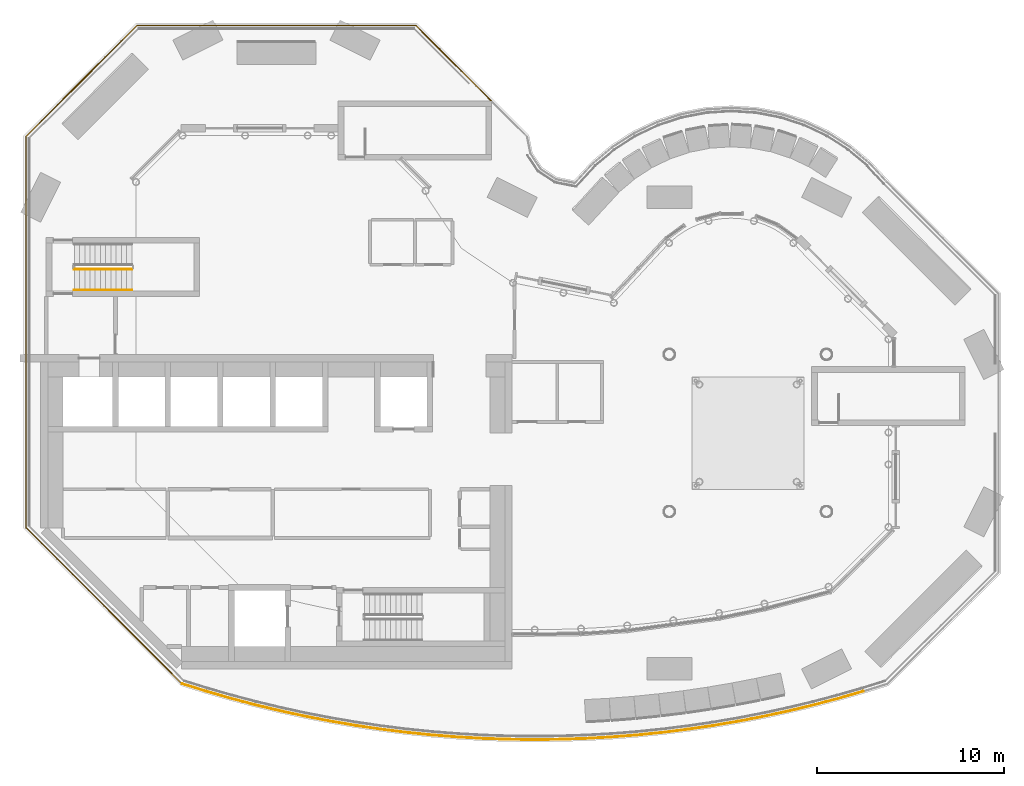
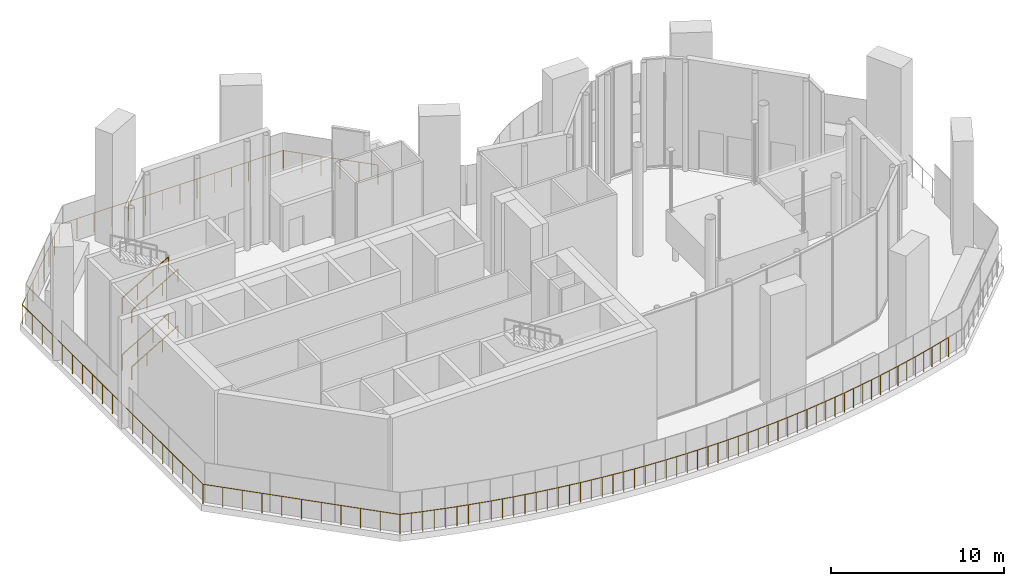
# One storey, part 12 of 14: 6 railings.
"""IFC4 building model written with IfcOpenShell, lengths in metres."""

from ifc_helpers import new_model, si_unit, direction, frame, origin, origin_2d, place, context, subcontext, project, spatial, circle, extrude, material, type_object, element, save


model = new_model("IFC4")

# Units and contexts
model_context = context("Model", 3, precision=1e-05, world=origin(), true_north=direction((0.0, 1.0)))
body_context = subcontext(model_context, "Body", "Model", "MODEL_VIEW")
ifc_project = project(units=[si_unit("LENGTHUNIT", "METRE"), si_unit("AREAUNIT", "SQUARE_METRE"), si_unit("VOLUMEUNIT", "CUBIC_METRE"), si_unit("PLANEANGLEUNIT", "RADIAN"), si_unit("MASSUNIT", "GRAM", prefix="KILO")], contexts=[model_context])

# Site, building, storey
site_placement = place(None, origin())
site = spatial("IfcSite", under=ifc_project, at=site_placement, CompositionType="ELEMENT")
building_placement = place(site_placement, origin())
building = spatial("IfcBuilding", under=site, at=building_placement, Name="Brevane Broadcast Tower", CompositionType="ELEMENT")
storey_placement = place(building_placement, frame((0.0, 0.0, 256.199951171875)))
storey = spatial("IfcBuildingStorey", under=building, at=storey_placement, Name="L65", CompositionType="ELEMENT", Elevation=256.199951171875)

# Railings
ifc_material_1 = material(Name="Stainless steel 1.4404", Category="steel")
railing_type_1 = type_object("IfcRailingType", Name="Deck guard 1400", PredefinedType="GUARDRAIL", material=ifc_material_1)
railing_1_placement = place(storey_placement, frame((7.56396484375, -0.794189453125, 0.0)))
element("IfcRailing", 1, at=railing_1_placement, inside=storey, type_object=railing_type_1, Name="Deck guard", PredefinedType="GUARDRAIL", context=body_context, shape_type="SweptSolid", body=[
    extrude(circle(Radius=0.02392578125, at=origin_2d()), frame((0.0, 0.0, 1.3759765625), z_axis=(-0.707106781187, 0.707106781187, 0.0), x_axis=(-0.707106781187, -0.707106781187, 0.0)), (0.0, 0.0, 1.0), 11.80029296875),
    extrude(circle(Radius=0.02392578125, at=origin_2d()), frame((-8.343994140625, 8.343994140625, 1.3759765625), z_axis=(0.0, 1.0, 0.0), x_axis=(-1.0, 0.0, 0.0)), (0.0, 0.0, 1.0), 20.900390625),
    extrude(circle(Radius=0.02392578125, at=origin_2d()), frame((-8.343994140625, 29.244384765625, 1.3759765625), z_axis=(0.707106781187, 0.707106781187, 0.0), x_axis=(-0.707106781187, 0.707106781187, 0.0)), (0.0, 0.0, 1.0), 8.3857421875),
    extrude(circle(Radius=0.02392578125, at=origin_2d()), frame((-2.414306640625, 35.174072265625, 1.3759765625), z_axis=(1.0, 0.0, 0.0), x_axis=(0.0, 1.0, 0.0)), (0.0, 0.0, 1.0), 14.900634765625),
    extrude(circle(Radius=0.02392578125, at=origin_2d()), frame((12.486328125, 35.174072265625, 1.3759765625), z_axis=(0.707128199903, -0.707085361822, 0.0), x_axis=(0.707085361822, 0.707128199903, 0.0)), (0.0, 0.0, 1.0), 5.69921875),
    extrude(circle(Radius=0.02099609375, at=origin_2d()), origin(), (0.0, 0.0, 1.0), 1.351806640625),
    extrude(circle(Radius=0.02099609375, at=origin_2d()), frame((-0.83447265625, 0.83447265625, 0.0)), (0.0, 0.0, 1.0), 1.351806640625),
    extrude(circle(Radius=0.02099609375, at=origin_2d()), frame((-1.668701171875, 1.668701171875, 0.0)), (0.0, 0.0, 1.0), 1.351806640625),
    extrude(circle(Radius=0.02099609375, at=origin_2d()), frame((-2.503173828125, 2.503173828125, 0.0)), (0.0, 0.0, 1.0), 1.351806640625),
    extrude(circle(Radius=0.02099609375, at=origin_2d()), frame((-3.337646484375, 3.337646484375, 0.0)), (0.0, 0.0, 1.0), 1.351806640625),
    extrude(circle(Radius=0.02099609375, at=origin_2d()), frame((-4.171875, 4.171875, 0.0)), (0.0, 0.0, 1.0), 1.351806640625),
    extrude(circle(Radius=0.02099609375, at=origin_2d()), frame((-5.00634765625, 5.00634765625, 0.0)), (0.0, 0.0, 1.0), 1.351806640625),
    extrude(circle(Radius=0.02099609375, at=origin_2d()), frame((-5.8408203125, 5.8408203125, 0.0)), (0.0, 0.0, 1.0), 1.351806640625),
    extrude(circle(Radius=0.02099609375, at=origin_2d()), frame((-6.67529296875, 6.67529296875, 0.0)), (0.0, 0.0, 1.0), 1.351806640625),
    extrude(circle(Radius=0.02099609375, at=origin_2d()), frame((-7.509521484375, 7.509521484375, 0.0)), (0.0, 0.0, 1.0), 1.351806640625),
    extrude(circle(Radius=0.02099609375, at=origin_2d()), frame((-8.343994140625, 8.343994140625, 0.0)), (0.0, 0.0, 1.0), 1.351806640625),
    extrude(circle(Radius=0.02099609375, at=origin_2d()), frame((-8.343994140625, 9.505126953125, 0.0)), (0.0, 0.0, 1.0), 1.351806640625),
    extrude(circle(Radius=0.02099609375, at=origin_2d()), frame((-8.343994140625, 10.666259765625, 0.0)), (0.0, 0.0, 1.0), 1.351806640625),
    extrude(circle(Radius=0.02099609375, at=origin_2d()), frame((-8.343994140625, 11.827392578125, 0.0)), (0.0, 0.0, 1.0), 1.351806640625),
    extrude(circle(Radius=0.02099609375, at=origin_2d()), frame((-8.343994140625, 12.988525390625, 0.0)), (0.0, 0.0, 1.0), 1.351806640625),
    extrude(circle(Radius=0.02099609375, at=origin_2d()), frame((-8.343994140625, 14.149658203125, 0.0)), (0.0, 0.0, 1.0), 1.351806640625),
    extrude(circle(Radius=0.02099609375, at=origin_2d()), frame((-8.343994140625, 15.310791015625, 0.0)), (0.0, 0.0, 1.0), 1.351806640625),
    extrude(circle(Radius=0.02099609375, at=origin_2d()), frame((-8.343994140625, 16.471923828125, 0.0)), (0.0, 0.0, 1.0), 1.351806640625),
    extrude(circle(Radius=0.02099609375, at=origin_2d()), frame((-8.343994140625, 17.633056640625, 0.0)), (0.0, 0.0, 1.0), 1.351806640625),
    extrude(circle(Radius=0.02099609375, at=origin_2d()), frame((-8.343994140625, 18.794189453125, 0.0)), (0.0, 0.0, 1.0), 1.351806640625),
    extrude(circle(Radius=0.02099609375, at=origin_2d()), frame((-8.343994140625, 19.955322265625, 0.0)), (0.0, 0.0, 1.0), 1.351806640625),
    extrude(circle(Radius=0.02099609375, at=origin_2d()), frame((-8.343994140625, 21.116455078125, 0.0)), (0.0, 0.0, 1.0), 1.351806640625),
    extrude(circle(Radius=0.02099609375, at=origin_2d()), frame((-8.343994140625, 22.277587890625, 0.0)), (0.0, 0.0, 1.0), 1.351806640625),
    extrude(circle(Radius=0.02099609375, at=origin_2d()), frame((-8.343994140625, 23.438720703125, 0.0)), (0.0, 0.0, 1.0), 1.351806640625),
    extrude(circle(Radius=0.02099609375, at=origin_2d()), frame((-8.343994140625, 24.599853515625, 0.0)), (0.0, 0.0, 1.0), 1.351806640625),
    extrude(circle(Radius=0.02099609375, at=origin_2d()), frame((-8.343994140625, 25.760986328125, 0.0)), (0.0, 0.0, 1.0), 1.351806640625),
    extrude(circle(Radius=0.02099609375, at=origin_2d()), frame((-8.343994140625, 26.922119140625, 0.0)), (0.0, 0.0, 1.0), 1.351806640625),
    extrude(circle(Radius=0.02099609375, at=origin_2d()), frame((-8.343994140625, 28.083251953125, 0.0)), (0.0, 0.0, 1.0), 1.351806640625),
    extrude(circle(Radius=0.02099609375, at=origin_2d()), frame((-8.343994140625, 29.244384765625, 0.0)), (0.0, 0.0, 1.0), 1.351806640625),
    extrude(circle(Radius=0.02099609375, at=origin_2d()), frame((-7.496826171875, 30.091552734375, 0.0)), (0.0, 0.0, 1.0), 1.351806640625),
    extrude(circle(Radius=0.02099609375, at=origin_2d()), frame((-6.64990234375, 30.9384765625, 0.0)), (0.0, 0.0, 1.0), 1.351806640625),
    extrude(circle(Radius=0.02099609375, at=origin_2d()), frame((-5.802734375, 31.78564453125, 0.0)), (0.0, 0.0, 1.0), 1.351806640625),
    extrude(circle(Radius=0.02099609375, at=origin_2d()), frame((-4.95556640625, 32.6328125, 0.0)), (0.0, 0.0, 1.0), 1.351806640625),
    extrude(circle(Radius=0.02099609375, at=origin_2d()), frame((-4.1083984375, 33.47998046875, 0.0)), (0.0, 0.0, 1.0), 1.351806640625),
    extrude(circle(Radius=0.02099609375, at=origin_2d()), frame((-3.261474609375, 34.326904296875, 0.0)), (0.0, 0.0, 1.0), 1.351806640625),
    extrude(circle(Radius=0.02099609375, at=origin_2d()), frame((-2.414306640625, 35.174072265625, 0.0)), (0.0, 0.0, 1.0), 1.351806640625),
    extrude(circle(Radius=0.02099609375, at=origin_2d()), frame((-1.26806640625, 35.174072265625, 0.0)), (0.0, 0.0, 1.0), 1.351806640625),
    extrude(circle(Radius=0.02099609375, at=origin_2d()), frame((-0.121826171875, 35.174072265625, 0.0)), (0.0, 0.0, 1.0), 1.351806640625),
    extrude(circle(Radius=0.02099609375, at=origin_2d()), frame((1.0244140625, 35.174072265625, 0.0)), (0.0, 0.0, 1.0), 1.351806640625),
    extrude(circle(Radius=0.02099609375, at=origin_2d()), frame((2.17041015625, 35.174072265625, 0.0)), (0.0, 0.0, 1.0), 1.351806640625),
    extrude(circle(Radius=0.02099609375, at=origin_2d()), frame((3.316650390625, 35.174072265625, 0.0)), (0.0, 0.0, 1.0), 1.351806640625),
    extrude(circle(Radius=0.02099609375, at=origin_2d()), frame((4.462890625, 35.174072265625, 0.0)), (0.0, 0.0, 1.0), 1.351806640625),
    extrude(circle(Radius=0.02099609375, at=origin_2d()), frame((5.609130859375, 35.174072265625, 0.0)), (0.0, 0.0, 1.0), 1.351806640625),
    extrude(circle(Radius=0.02099609375, at=origin_2d()), frame((6.75537109375, 35.174072265625, 0.0)), (0.0, 0.0, 1.0), 1.351806640625),
    extrude(circle(Radius=0.02099609375, at=origin_2d()), frame((7.901611328125, 35.174072265625, 0.0)), (0.0, 0.0, 1.0), 1.351806640625),
    extrude(circle(Radius=0.02099609375, at=origin_2d()), frame((9.047607421875, 35.174072265625, 0.0)), (0.0, 0.0, 1.0), 1.351806640625),
    extrude(circle(Radius=0.02099609375, at=origin_2d()), frame((10.19384765625, 35.174072265625, 0.0)), (0.0, 0.0, 1.0), 1.351806640625),
    extrude(circle(Radius=0.02099609375, at=origin_2d()), frame((11.340087890625, 35.174072265625, 0.0)), (0.0, 0.0, 1.0), 1.351806640625),
    extrude(circle(Radius=0.02099609375, at=origin_2d()), frame((12.486328125, 35.174072265625, 0.0)), (0.0, 0.0, 1.0), 1.351806640625),
    extrude(circle(Radius=0.02099609375, at=origin_2d()), frame((13.292236328125, 34.3681640625, 0.0)), (0.0, 0.0, 1.0), 1.351806640625),
    extrude(circle(Radius=0.02099609375, at=origin_2d()), frame((14.098388671875, 33.562255859375, 0.0)), (0.0, 0.0, 1.0), 1.351806640625),
    extrude(circle(Radius=0.02099609375, at=origin_2d()), frame((14.904296875, 32.756103515625, 0.0)), (0.0, 0.0, 1.0), 1.351806640625),
    extrude(circle(Radius=0.02099609375, at=origin_2d()), frame((15.71044921875, 31.9501953125, 0.0)), (0.0, 0.0, 1.0), 1.351806640625),
    extrude(circle(Radius=0.02099609375, at=origin_2d()), frame((16.516357421875, 31.144287109375, 0.0)), (0.0, 0.0, 1.0), 1.351806640625),
])
railing_2_placement = place(storey_placement, frame((43.95556640625, -1.1953125, 0.0)))
element("IfcRailing", 2, at=railing_2_placement, inside=storey, type_object=railing_type_1, Name="Deck guard", PredefinedType="GUARDRAIL", context=body_context, shape_type="SweptSolid", body=[
    extrude(circle(Radius=0.02392578125, at=origin_2d()), frame((0.0, 0.0, 1.3759765625), z_axis=(-0.960719463283, -0.277521373716, 0.0), x_axis=(0.277521373716, -0.960719463283, 0.0)), (0.0, 0.0, 1.0), 1.36962890625),
    extrude(circle(Radius=0.02392578125, at=origin_2d()), frame((-1.31591796875, -0.380126953125, 1.3759765625), z_axis=(-0.966750591727, -0.255721124263, 0.0), x_axis=(0.255721124263, -0.966750591727, 0.0)), (0.0, 0.0, 1.0), 1.3701171875),
    extrude(circle(Radius=0.02392578125, at=origin_2d()), frame((-2.640380859375, -0.73046875, 1.3759765625), z_axis=(-0.972273936569, -0.233844803809, 0.0), x_axis=(0.233844803809, -0.972273936569, 0.0)), (0.0, 0.0, 1.0), 1.369873046875),
    extrude(circle(Radius=0.02392578125, at=origin_2d()), frame((-3.97216796875, -1.05078125, 1.3759765625), z_axis=(-0.977248694028, -0.212096652543, 0.0), x_axis=(0.212096652543, -0.977248694028, 0.0)), (0.0, 0.0, 1.0), 1.369873046875),
    extrude(circle(Radius=0.02392578125, at=origin_2d()), frame((-5.310791015625, -1.34130859375, 1.3759765625), z_axis=(-0.981788429667, -0.189977575971, 0.0), x_axis=(0.189977575971, -0.981788429667, 0.0)), (0.0, 0.0, 1.0), 1.369873046875),
    extrude(circle(Radius=0.02392578125, at=origin_2d()), frame((-6.65576171875, -1.6015625, 1.3759765625), z_axis=(-0.985804855231, -0.167895167895, 0.0), x_axis=(0.167895167895, -0.985804855231, 0.0)), (0.0, 0.0, 1.0), 1.369873046875),
    extrude(circle(Radius=0.02392578125, at=origin_2d()), frame((-8.006103515625, -1.83154296875, 1.3759765625), z_axis=(-0.989341773389, -0.145612003037, 0.0), x_axis=(0.145612003037, -0.989341773389, 0.0)), (0.0, 0.0, 1.0), 1.369873046875),
    extrude(circle(Radius=0.02392578125, at=origin_2d()), frame((-9.361328125, -2.031005859375, 1.3759765625), z_axis=(-0.992365370734, -0.123332765185, 0.0), x_axis=(0.123332765185, -0.992365370734, 0.0)), (0.0, 0.0, 1.0), 1.369873046875),
    extrude(circle(Radius=0.02392578125, at=origin_2d()), frame((-10.720703125, -2.199951171875, 1.3759765625), z_axis=(-0.994880688818, -0.101056494188, 0.0), x_axis=(0.101056494188, -0.994880688818, 0.0)), (0.0, 0.0, 1.0), 1.369873046875),
    extrude(circle(Radius=0.02392578125, at=origin_2d()), frame((-12.08349609375, -2.33837890625, 1.3759765625), z_axis=(-0.996905872152, -0.078604593173, 0.0), x_axis=(0.078604593173, -0.996905872152, 0.0)), (0.0, 0.0, 1.0), 1.36962890625),
    extrude(circle(Radius=0.02392578125, at=origin_2d()), frame((-13.448974609375, -2.446044921875, 1.3759765625), z_axis=(-0.998412831431, -0.056318895882, 0.0), x_axis=(0.056318895882, -0.998412831431, 0.0)), (0.0, 0.0, 1.0), 1.369873046875),
    extrude(circle(Radius=0.02392578125, at=origin_2d()), frame((-14.816650390625, -2.523193359375, 1.3759765625), z_axis=(-0.999432575823, -0.033682731247, 0.0), x_axis=(0.033682731247, -0.999432575823, 0.0)), (0.0, 0.0, 1.0), 1.369873046875),
    extrude(circle(Radius=0.02392578125, at=origin_2d()), frame((-16.185791015625, -2.5693359375, 1.3759765625), z_axis=(-0.999936972584, -0.011227237439, 0.0), x_axis=(0.011227237439, -0.999936972584, 0.0)), (0.0, 0.0, 1.0), 1.369873046875),
    extrude(circle(Radius=0.02392578125, at=origin_2d()), frame((-17.5556640625, -2.584716796875, 1.3759765625), z_axis=(-0.999936950114, 0.011229238477, 0.0), x_axis=(-0.011229238477, -0.999936950114, 0.0)), (0.0, 0.0, 1.0), 1.36962890625),
    extrude(circle(Radius=0.02392578125, at=origin_2d()), frame((-18.92529296875, -2.5693359375, 1.3759765625), z_axis=(-0.999432575823, 0.033682731247, 0.0), x_axis=(-0.033682731247, -0.999432575823, 0.0)), (0.0, 0.0, 1.0), 1.369873046875),
    extrude(circle(Radius=0.02392578125, at=origin_2d()), frame((-20.29443359375, -2.523193359375, 1.3759765625), z_axis=(-0.998412831431, 0.056318895882, 0.0), x_axis=(-0.056318895882, -0.998412831431, 0.0)), (0.0, 0.0, 1.0), 1.369873046875),
    extrude(circle(Radius=0.02392578125, at=origin_2d()), frame((-21.662109375, -2.446044921875, 1.3759765625), z_axis=(-0.996905872152, 0.078604593173, 0.0), x_axis=(-0.078604593173, -0.996905872152, 0.0)), (0.0, 0.0, 1.0), 1.36962890625),
    extrude(circle(Radius=0.02392578125, at=origin_2d()), frame((-23.027587890625, -2.33837890625, 1.3759765625), z_axis=(-0.994880688818, 0.101056494188, 0.0), x_axis=(-0.101056494188, -0.994880688818, 0.0)), (0.0, 0.0, 1.0), 1.369873046875),
    extrude(circle(Radius=0.02392578125, at=origin_2d()), frame((-24.390380859375, -2.199951171875, 1.3759765625), z_axis=(-0.992365370734, 0.123332765185, 0.0), x_axis=(-0.123332765185, -0.992365370734, 0.0)), (0.0, 0.0, 1.0), 1.369873046875),
    extrude(circle(Radius=0.02392578125, at=origin_2d()), frame((-25.749755859375, -2.031005859375, 1.3759765625), z_axis=(-0.989341773389, 0.145612003037, 0.0), x_axis=(-0.145612003037, -0.989341773389, 0.0)), (0.0, 0.0, 1.0), 1.369873046875),
    extrude(circle(Radius=0.02392578125, at=origin_2d()), frame((-27.10498046875, -1.83154296875, 1.3759765625), z_axis=(-0.98580987807, 0.167865673381, 0.0), x_axis=(-0.167865673381, -0.98580987807, 0.0)), (0.0, 0.0, 1.0), 1.3701171875),
    extrude(circle(Radius=0.02392578125, at=origin_2d()), frame((-28.45556640625, -1.6015625, 1.3759765625), z_axis=(-0.981781995922, 0.190010822014, 0.0), x_axis=(-0.190010822014, -0.981781995922, 0.0)), (0.0, 0.0, 1.0), 1.36962890625),
    extrude(circle(Radius=0.02392578125, at=origin_2d()), frame((-29.80029296875, -1.34130859375, 1.3759765625), z_axis=(-0.97725670972, 0.212059716369, 0.0), x_axis=(-0.212059716369, -0.97725670972, 0.0)), (0.0, 0.0, 1.0), 1.3701171875),
    extrude(circle(Radius=0.02392578125, at=origin_2d()), frame((-31.13916015625, -1.05078125, 1.3759765625), z_axis=(-0.972273936569, 0.233844803809, 0.0), x_axis=(-0.233844803809, -0.972273936569, 0.0)), (0.0, 0.0, 1.0), 1.369873046875),
    extrude(circle(Radius=0.02392578125, at=origin_2d()), frame((-32.470947265625, -0.73046875, 1.3759765625), z_axis=(-0.966738935443, 0.255765186645, 0.0), x_axis=(-0.255765186645, -0.966738935443, 0.0)), (0.0, 0.0, 1.0), 1.369873046875),
    extrude(circle(Radius=0.02392578125, at=origin_2d()), frame((-33.795166015625, -0.380126953125, 1.3759765625), z_axis=(-0.960719463283, 0.277521373716, 0.0), x_axis=(-0.277521373716, -0.960719463283, 0.0)), (0.0, 0.0, 1.0), 1.36962890625),
    extrude(circle(Radius=0.02392578125, at=origin_2d()), frame((-35.111083984375, 0.0, 1.3759765625), z_axis=(-0.9542758007, 0.298927576845, 0.0), x_axis=(-0.298927576845, -0.9542758007, 0.0)), (0.0, 0.0, 1.0), 1.341796875),
    extrude(circle(Radius=0.02099609375, at=origin_2d()), origin(), (0.0, 0.0, 1.0), 1.351806640625),
    extrude(circle(Radius=0.02099609375, at=origin_2d()), frame((-0.657958984375, -0.18994140625, 0.0)), (0.0, 0.0, 1.0), 1.351806640625),
    extrude(circle(Radius=0.02099609375, at=origin_2d()), frame((-1.31591796875, -0.380126953125, 0.0)), (0.0, 0.0, 1.0), 1.351806640625),
    extrude(circle(Radius=0.02099609375, at=origin_2d()), frame((-1.97802734375, -0.55517578125, 0.0)), (0.0, 0.0, 1.0), 1.351806640625),
    extrude(circle(Radius=0.02099609375, at=origin_2d()), frame((-2.640380859375, -0.73046875, 0.0)), (0.0, 0.0, 1.0), 1.351806640625),
    extrude(circle(Radius=0.02099609375, at=origin_2d()), frame((-3.30615234375, -0.890625, 0.0)), (0.0, 0.0, 1.0), 1.351806640625),
    extrude(circle(Radius=0.02099609375, at=origin_2d()), frame((-3.97216796875, -1.05078125, 0.0)), (0.0, 0.0, 1.0), 1.351806640625),
    extrude(circle(Radius=0.02099609375, at=origin_2d()), frame((-4.6416015625, -1.196044921875, 0.0)), (0.0, 0.0, 1.0), 1.351806640625),
    extrude(circle(Radius=0.02099609375, at=origin_2d()), frame((-5.310791015625, -1.34130859375, 0.0)), (0.0, 0.0, 1.0), 1.351806640625),
    extrude(circle(Radius=0.02099609375, at=origin_2d()), frame((-5.9833984375, -1.471435546875, 0.0)), (0.0, 0.0, 1.0), 1.351806640625),
    extrude(circle(Radius=0.02099609375, at=origin_2d()), frame((-6.65576171875, -1.6015625, 0.0)), (0.0, 0.0, 1.0), 1.351806640625),
    extrude(circle(Radius=0.02099609375, at=origin_2d()), frame((-7.3310546875, -1.716552734375, 0.0)), (0.0, 0.0, 1.0), 1.351806640625),
    extrude(circle(Radius=0.02099609375, at=origin_2d()), frame((-8.006103515625, -1.83154296875, 0.0)), (0.0, 0.0, 1.0), 1.351806640625),
    extrude(circle(Radius=0.02099609375, at=origin_2d()), frame((-8.68359375, -1.93115234375, 0.0)), (0.0, 0.0, 1.0), 1.351806640625),
    extrude(circle(Radius=0.02099609375, at=origin_2d()), frame((-9.361328125, -2.031005859375, 0.0)), (0.0, 0.0, 1.0), 1.351806640625),
    extrude(circle(Radius=0.02099609375, at=origin_2d()), frame((-10.041015625, -2.115478515625, 0.0)), (0.0, 0.0, 1.0), 1.351806640625),
    extrude(circle(Radius=0.02099609375, at=origin_2d()), frame((-10.720703125, -2.199951171875, 0.0)), (0.0, 0.0, 1.0), 1.351806640625),
    extrude(circle(Radius=0.02099609375, at=origin_2d()), frame((-11.402099609375, -2.26904296875, 0.0)), (0.0, 0.0, 1.0), 1.351806640625),
    extrude(circle(Radius=0.02099609375, at=origin_2d()), frame((-12.08349609375, -2.33837890625, 0.0)), (0.0, 0.0, 1.0), 1.351806640625),
    extrude(circle(Radius=0.02099609375, at=origin_2d()), frame((-12.76611328125, -2.39208984375, 0.0)), (0.0, 0.0, 1.0), 1.351806640625),
    extrude(circle(Radius=0.02099609375, at=origin_2d()), frame((-13.448974609375, -2.446044921875, 0.0)), (0.0, 0.0, 1.0), 1.351806640625),
    extrude(circle(Radius=0.02099609375, at=origin_2d()), frame((-14.1328125, -2.484619140625, 0.0)), (0.0, 0.0, 1.0), 1.351806640625),
    extrude(circle(Radius=0.02099609375, at=origin_2d()), frame((-14.816650390625, -2.523193359375, 0.0)), (0.0, 0.0, 1.0), 1.351806640625),
    extrude(circle(Radius=0.02099609375, at=origin_2d()), frame((-15.501220703125, -2.54638671875, 0.0)), (0.0, 0.0, 1.0), 1.351806640625),
    extrude(circle(Radius=0.02099609375, at=origin_2d()), frame((-16.185791015625, -2.5693359375, 0.0)), (0.0, 0.0, 1.0), 1.351806640625),
    extrude(circle(Radius=0.02099609375, at=origin_2d()), frame((-16.87060546875, -2.5771484375, 0.0)), (0.0, 0.0, 1.0), 1.351806640625),
    extrude(circle(Radius=0.02099609375, at=origin_2d()), frame((-17.5556640625, -2.584716796875, 0.0)), (0.0, 0.0, 1.0), 1.351806640625),
    extrude(circle(Radius=0.02099609375, at=origin_2d()), frame((-18.240478515625, -2.5771484375, 0.0)), (0.0, 0.0, 1.0), 1.351806640625),
    extrude(circle(Radius=0.02099609375, at=origin_2d()), frame((-18.92529296875, -2.5693359375, 0.0)), (0.0, 0.0, 1.0), 1.351806640625),
    extrude(circle(Radius=0.02099609375, at=origin_2d()), frame((-19.60986328125, -2.54638671875, 0.0)), (0.0, 0.0, 1.0), 1.351806640625),
    extrude(circle(Radius=0.02099609375, at=origin_2d()), frame((-20.29443359375, -2.523193359375, 0.0)), (0.0, 0.0, 1.0), 1.351806640625),
    extrude(circle(Radius=0.02099609375, at=origin_2d()), frame((-20.978271484375, -2.484619140625, 0.0)), (0.0, 0.0, 1.0), 1.351806640625),
    extrude(circle(Radius=0.02099609375, at=origin_2d()), frame((-21.662109375, -2.446044921875, 0.0)), (0.0, 0.0, 1.0), 1.351806640625),
    extrude(circle(Radius=0.02099609375, at=origin_2d()), frame((-22.3447265625, -2.39208984375, 0.0)), (0.0, 0.0, 1.0), 1.351806640625),
    extrude(circle(Radius=0.02099609375, at=origin_2d()), frame((-23.027587890625, -2.33837890625, 0.0)), (0.0, 0.0, 1.0), 1.351806640625),
    extrude(circle(Radius=0.02099609375, at=origin_2d()), frame((-23.708984375, -2.26904296875, 0.0)), (0.0, 0.0, 1.0), 1.351806640625),
    extrude(circle(Radius=0.02099609375, at=origin_2d()), frame((-24.390380859375, -2.199951171875, 0.0)), (0.0, 0.0, 1.0), 1.351806640625),
    extrude(circle(Radius=0.02099609375, at=origin_2d()), frame((-25.070068359375, -2.115478515625, 0.0)), (0.0, 0.0, 1.0), 1.351806640625),
    extrude(circle(Radius=0.02099609375, at=origin_2d()), frame((-25.749755859375, -2.031005859375, 0.0)), (0.0, 0.0, 1.0), 1.351806640625),
    extrude(circle(Radius=0.02099609375, at=origin_2d()), frame((-26.42724609375, -1.93115234375, 0.0)), (0.0, 0.0, 1.0), 1.351806640625),
    extrude(circle(Radius=0.02099609375, at=origin_2d()), frame((-27.10498046875, -1.83154296875, 0.0)), (0.0, 0.0, 1.0), 1.351806640625),
    extrude(circle(Radius=0.02099609375, at=origin_2d()), frame((-27.7802734375, -1.716552734375, 0.0)), (0.0, 0.0, 1.0), 1.351806640625),
    extrude(circle(Radius=0.02099609375, at=origin_2d()), frame((-28.45556640625, -1.6015625, 0.0)), (0.0, 0.0, 1.0), 1.351806640625),
    extrude(circle(Radius=0.02099609375, at=origin_2d()), frame((-29.1279296875, -1.471435546875, 0.0)), (0.0, 0.0, 1.0), 1.351806640625),
    extrude(circle(Radius=0.02099609375, at=origin_2d()), frame((-29.80029296875, -1.34130859375, 0.0)), (0.0, 0.0, 1.0), 1.351806640625),
    extrude(circle(Radius=0.02099609375, at=origin_2d()), frame((-30.4697265625, -1.196044921875, 0.0)), (0.0, 0.0, 1.0), 1.351806640625),
    extrude(circle(Radius=0.02099609375, at=origin_2d()), frame((-31.13916015625, -1.05078125, 0.0)), (0.0, 0.0, 1.0), 1.351806640625),
    extrude(circle(Radius=0.02099609375, at=origin_2d()), frame((-31.80517578125, -0.890625, 0.0)), (0.0, 0.0, 1.0), 1.351806640625),
    extrude(circle(Radius=0.02099609375, at=origin_2d()), frame((-32.470947265625, -0.73046875, 0.0)), (0.0, 0.0, 1.0), 1.351806640625),
    extrude(circle(Radius=0.02099609375, at=origin_2d()), frame((-33.133056640625, -0.55517578125, 0.0)), (0.0, 0.0, 1.0), 1.351806640625),
    extrude(circle(Radius=0.02099609375, at=origin_2d()), frame((-33.795166015625, -0.380126953125, 0.0)), (0.0, 0.0, 1.0), 1.351806640625),
    extrude(circle(Radius=0.02099609375, at=origin_2d()), frame((-34.453125, -0.18994140625, 0.0)), (0.0, 0.0, 1.0), 1.351806640625),
    extrude(circle(Radius=0.02099609375, at=origin_2d()), frame((-35.111083984375, 0.0, 0.0)), (0.0, 0.0, 1.0), 1.351806640625),
    extrude(circle(Radius=0.02099609375, at=origin_2d()), frame((-35.75146484375, 0.20068359375, 0.0)), (0.0, 0.0, 1.0), 1.351806640625),
    extrude(circle(Radius=0.02099609375, at=origin_2d()), frame((-36.3916015625, 0.401123046875, 0.0)), (0.0, 0.0, 1.0), 1.351806640625),
])
ifc_material_2 = material(Name="Steel S355", Category="steel")
railing_type_2 = type_object("IfcRailingType", Name="Exit stair guard", PredefinedType="GUARDRAIL", material=ifc_material_2)
for number, where, name in (
    (3, (1.800048828125, 21.35009765625, 0.166748046875), "L65 ST-1 stair guard 1"),
    (4, (1.800048828125, 21.35009765625, 4.166748046875), "L65 ST-1 stair guard 5"),
):
    element("IfcRailing", number, at=place(storey_placement, frame(where)), inside=storey, type_object=railing_type_2, Name=name, PredefinedType="GUARDRAIL", context=body_context, shape_type="SweptSolid", body=[
        extrude(circle(Radius=0.02392578125, at=origin_2d()), frame((0.0, 0.0, 1.076171875), z_axis=(0.859290745958, 0.0, 0.51148745235), x_axis=(0.0, 1.0, 0.0)), (0.0, 0.0, 1.0), 3.584228515625),
        extrude(circle(Radius=0.02099609375, at=origin_2d()), origin(), (0.0, 0.0, 1.0), 1.052001953125),
        extrude(circle(Radius=0.02099609375, at=origin_2d()), frame((1.026611328125, 0.0, 0.611083984375)), (0.0, 0.0, 1.0), 1.052001953125),
        extrude(circle(Radius=0.02099609375, at=origin_2d()), frame((2.05322265625, 0.0, 1.22216796875)), (0.0, 0.0, 1.0), 1.052001953125),
        extrude(circle(Radius=0.02099609375, at=origin_2d()), frame((3.079833984375, 0.0, 1.833251953125)), (0.0, 0.0, 1.0), 1.052001953125),
    ])
railing_type_3 = type_object("IfcRailingType", Name="Exit stair handrail", PredefinedType="HANDRAIL", material=ifc_material_2)
for number, where, name in (
    (5, (1.800048828125, 20.25, 0.166748046875), "L65 ST-1 stair handrail 1"),
    (6, (1.800048828125, 20.25, 4.166748046875), "L65 ST-1 stair handrail 3"),
):
    element("IfcRailing", number, at=place(storey_placement, frame(where)), inside=storey, type_object=railing_type_3, Name=name, PredefinedType="HANDRAIL", context=body_context, shape_type="SweptSolid", body=[
        extrude(circle(Radius=0.02392578125, at=origin_2d()), frame((0.0, 0.0, 0.8759765625), z_axis=(0.859290745958, 0.0, 0.51148745235), x_axis=(0.0, 1.0, 0.0)), (0.0, 0.0, 1.0), 3.584228515625),
        extrude(circle(Radius=0.02099609375, at=origin_2d()), origin(), (0.0, 0.0, 1.0), 0.851806640625),
        extrude(circle(Radius=0.02099609375, at=origin_2d()), frame((1.026611328125, 0.0, 0.611083984375)), (0.0, 0.0, 1.0), 0.851806640625),
        extrude(circle(Radius=0.02099609375, at=origin_2d()), frame((2.05322265625, 0.0, 1.22216796875)), (0.0, 0.0, 1.0), 0.851806640625),
        extrude(circle(Radius=0.02099609375, at=origin_2d()), frame((3.079833984375, 0.0, 1.833251953125)), (0.0, 0.0, 1.0), 0.851806640625),
    ])

save(model, "model.ifc")
